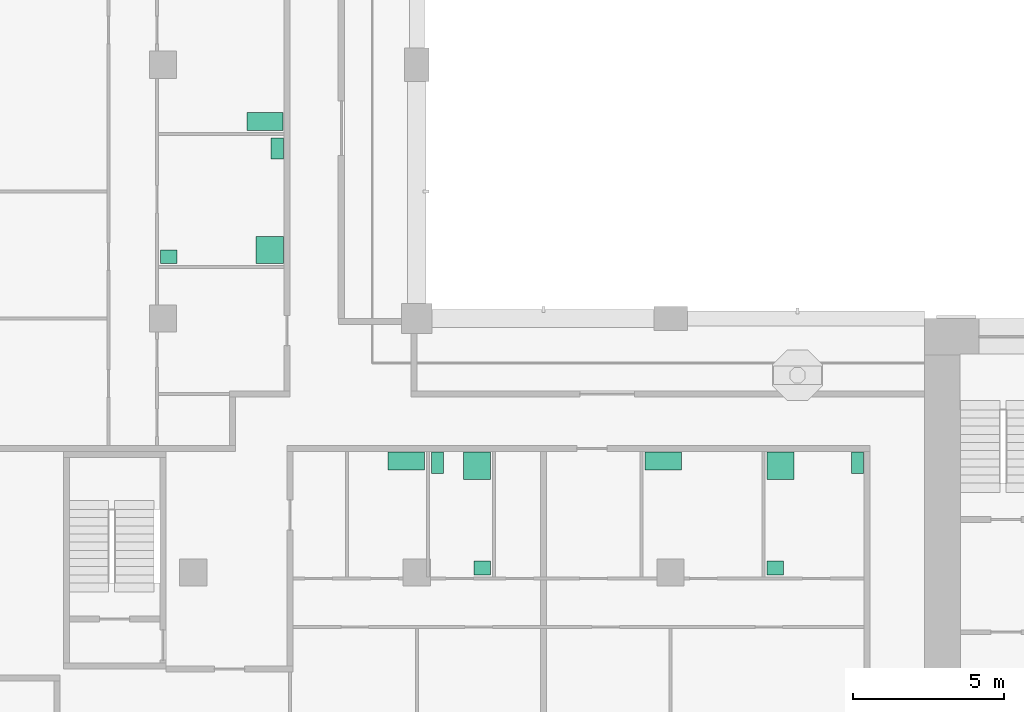
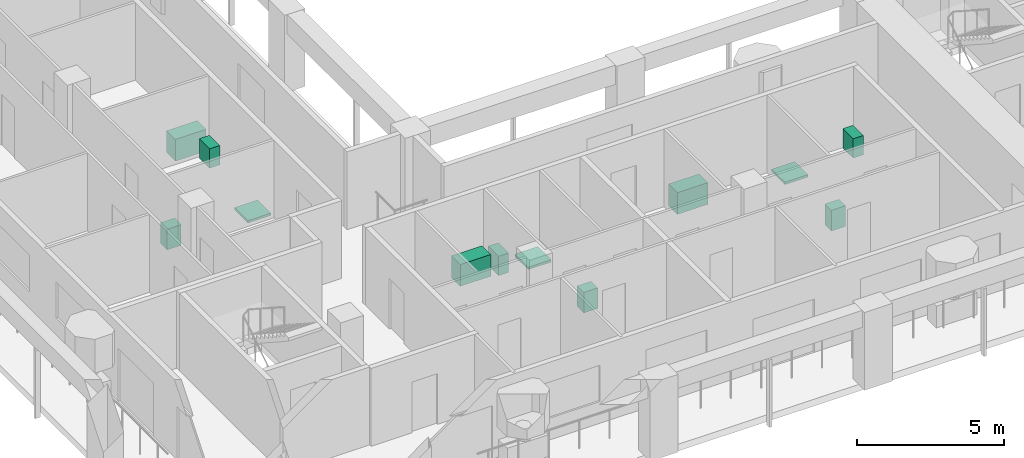
# One storey, part 9 of 11: 12 sanitary terminals.
"""IFC4 building model written with IfcOpenShell, lengths in metres."""

from ifc_helpers import new_model, si_unit, direction, frame, origin, origin_2d, place, context, subcontext, project, spatial, rectangle, extrude, material, element, save


model = new_model("IFC4")

# Units and contexts
model_context = context("Model", 3, precision=1e-05, world=origin(), true_north=direction((0.0, 1.0)))
body_context = subcontext(model_context, "Body", "Model", "MODEL_VIEW")
ifc_project = project(units=[si_unit("LENGTHUNIT", "METRE"), si_unit("AREAUNIT", "SQUARE_METRE"), si_unit("VOLUMEUNIT", "CUBIC_METRE"), si_unit("PLANEANGLEUNIT", "RADIAN"), si_unit("MASSUNIT", "GRAM", prefix="KILO")], contexts=[model_context])

# Site, building, storey
site_placement = place(None, origin())
site = spatial("IfcSite", under=ifc_project, at=site_placement, CompositionType="ELEMENT")
building_placement = place(site_placement, origin())
building = spatial("IfcBuilding", under=site, at=building_placement, Name="Vermilion Gate Residences", CompositionType="ELEMENT")
storey_placement = place(building_placement, frame((0.0, 0.0, 256.199951171875)))
storey = spatial("IfcBuildingStorey", under=building, at=storey_placement, Name="L67", CompositionType="ELEMENT", Elevation=256.199951171875)

# Sanitary terminals
ifc_material_1 = material(Name="Stainless steel", Category="steel")
sanitary_terminal_1_placement = place(storey_placement, frame((24.847900390625, 20.47998046875, 0.0), z_axis=(0.0, 0.0, 1.0), x_axis=(1.0, 0.0, 0.0)))
element("IfcSanitaryTerminal", 1, at=sanitary_terminal_1_placement, inside=storey, material=ifc_material_1, Name="Kitchen sink", PredefinedType="SINK", context=body_context, shape_type="SweptSolid", body=[
    extrude(rectangle(XDim=1.199951171875, YDim=0.60009765625, at=origin_2d()), origin(), (0.0, 0.0, 1.0), 0.89990234375),
])
ifc_material_2 = material(Name="Vitreous china")
sanitary_terminal_2_placement = place(storey_placement, frame((27.18798828125, 20.330078125, 0.0), z_axis=(0.0, 0.0, 1.0), x_axis=(1.0, 0.0, 0.0)))
element("IfcSanitaryTerminal", 2, at=sanitary_terminal_2_placement, inside=storey, material=ifc_material_2, Name="Shower tray", PredefinedType="SHOWER", context=body_context, shape_type="SweptSolid", body=[
    extrude(rectangle(XDim=0.89990234375, YDim=0.89990234375, at=origin_2d()), origin(), (0.0, 0.0, 1.0), 0.10009765625),
])
sanitary_terminal_3_placement = place(storey_placement, frame((25.887939453125, 20.429931640625, 0.0), z_axis=(0.0, 0.0, 1.0), x_axis=(1.0, 0.0, 0.0)))
element("IfcSanitaryTerminal", 3, at=sanitary_terminal_3_placement, inside=storey, material=ifc_material_2, Name="Toilet", PredefinedType="TOILETPAN", context=body_context, shape_type="SweptSolid", body=[
    extrude(rectangle(XDim=0.39990234375, YDim=0.699951171875, at=origin_2d()), origin(), (0.0, 0.0, 1.0), 0.800048828125),
])
sanitary_terminal_4_placement = place(storey_placement, frame((27.363037109375, 16.945068359375, 0.0), z_axis=(0.0, 0.0, 1.0), x_axis=(1.0, 0.0, 0.0)))
element("IfcSanitaryTerminal", 4, at=sanitary_terminal_4_placement, inside=storey, material=ifc_material_2, Name="Wash basin", PredefinedType="WASHHANDBASIN", context=body_context, shape_type="SweptSolid", body=[
    extrude(rectangle(XDim=0.550048828125, YDim=0.449951171875, at=origin_2d()), origin(), (0.0, 0.0, 1.0), 0.85009765625),
])
sanitary_terminal_5_placement = place(storey_placement, frame((33.35302734375, 20.47998046875, 0.0), z_axis=(0.0, 0.0, 1.0), x_axis=(1.0, 0.0, 0.0)))
element("IfcSanitaryTerminal", 5, at=sanitary_terminal_5_placement, inside=storey, material=ifc_material_1, Name="Kitchen sink", PredefinedType="SINK", context=body_context, shape_type="SweptSolid", body=[
    extrude(rectangle(XDim=1.199951171875, YDim=0.60009765625, at=origin_2d()), origin(), (0.0, 0.0, 1.0), 0.89990234375),
])
sanitary_terminal_6_placement = place(storey_placement, frame((37.237060546875, 20.330078125, 0.0), z_axis=(0.0, 0.0, 1.0), x_axis=(1.0, 0.0, 0.0)))
element("IfcSanitaryTerminal", 6, at=sanitary_terminal_6_placement, inside=storey, material=ifc_material_2, Name="Shower tray", PredefinedType="SHOWER", context=body_context, shape_type="SweptSolid", body=[
    extrude(rectangle(XDim=0.89990234375, YDim=0.89990234375, at=origin_2d()), origin(), (0.0, 0.0, 1.0), 0.10009765625),
])
sanitary_terminal_7_placement = place(storey_placement, frame((39.780029296875, 20.429931640625, 0.0), z_axis=(0.0, 0.0, 1.0), x_axis=(1.0, 0.0, 0.0)))
element("IfcSanitaryTerminal", 7, at=sanitary_terminal_7_placement, inside=storey, material=ifc_material_2, Name="Toilet", PredefinedType="TOILETPAN", context=body_context, shape_type="SweptSolid", body=[
    extrude(rectangle(XDim=0.39990234375, YDim=0.699951171875, at=origin_2d()), origin(), (0.0, 0.0, 1.0), 0.800048828125),
])
sanitary_terminal_8_placement = place(storey_placement, frame((37.06201171875, 16.945068359375, 0.0), z_axis=(0.0, 0.0, 1.0), x_axis=(1.0, 0.0, 0.0)))
element("IfcSanitaryTerminal", 8, at=sanitary_terminal_8_placement, inside=storey, material=ifc_material_2, Name="Wash basin", PredefinedType="WASHHANDBASIN", context=body_context, shape_type="SweptSolid", body=[
    extrude(rectangle(XDim=0.550048828125, YDim=0.449951171875, at=origin_2d()), origin(), (0.0, 0.0, 1.0), 0.85009765625),
])
sanitary_terminal_9_placement = place(storey_placement, frame((20.330078125, 27.469970703125, 0.0), z_axis=(0.0, 0.0, 1.0), x_axis=(1.0, 0.0, 0.0)))
element("IfcSanitaryTerminal", 9, at=sanitary_terminal_9_placement, inside=storey, material=ifc_material_2, Name="Shower tray", PredefinedType="SHOWER", context=body_context, shape_type="SweptSolid", body=[
    extrude(rectangle(XDim=0.89990234375, YDim=0.89990234375, at=origin_2d()), origin(), (0.0, 0.0, 1.0), 0.10009765625),
])
sanitary_terminal_10_placement = place(storey_placement, frame((20.580078125, 30.830078125, 0.0), z_axis=(0.0, 0.0, 1.0), x_axis=(1.0, 0.0, 0.0)))
element("IfcSanitaryTerminal", 10, at=sanitary_terminal_10_placement, inside=storey, material=ifc_material_2, Name="Toilet", PredefinedType="TOILETPAN", context=body_context, shape_type="SweptSolid", body=[
    extrude(rectangle(XDim=0.39990234375, YDim=0.699951171875, at=origin_2d()), origin(), (0.0, 0.0, 1.0), 0.800048828125),
])
sanitary_terminal_11_placement = place(storey_placement, frame((16.9951171875, 27.2451171875, 0.0), z_axis=(0.0, 0.0, 1.0), x_axis=(1.0, 0.0, 0.0)))
element("IfcSanitaryTerminal", 11, at=sanitary_terminal_11_placement, inside=storey, material=ifc_material_2, Name="Wash basin", PredefinedType="WASHHANDBASIN", context=body_context, shape_type="SweptSolid", body=[
    extrude(rectangle(XDim=0.550048828125, YDim=0.449951171875, at=origin_2d()), origin(), (0.0, 0.0, 1.0), 0.85009765625),
])
sanitary_terminal_12_placement = place(storey_placement, frame((20.179931640625, 31.719970703125, 0.0), z_axis=(0.0, 0.0, 1.0), x_axis=(1.0, 0.0, 0.0)))
element("IfcSanitaryTerminal", 12, at=sanitary_terminal_12_placement, inside=storey, material=ifc_material_1, Name="Kitchen sink", PredefinedType="SINK", context=body_context, shape_type="SweptSolid", body=[
    extrude(rectangle(XDim=1.199951171875, YDim=0.60009765625, at=origin_2d()), origin(), (0.0, 0.0, 1.0), 0.89990234375),
])

save(model, "model.ifc")
